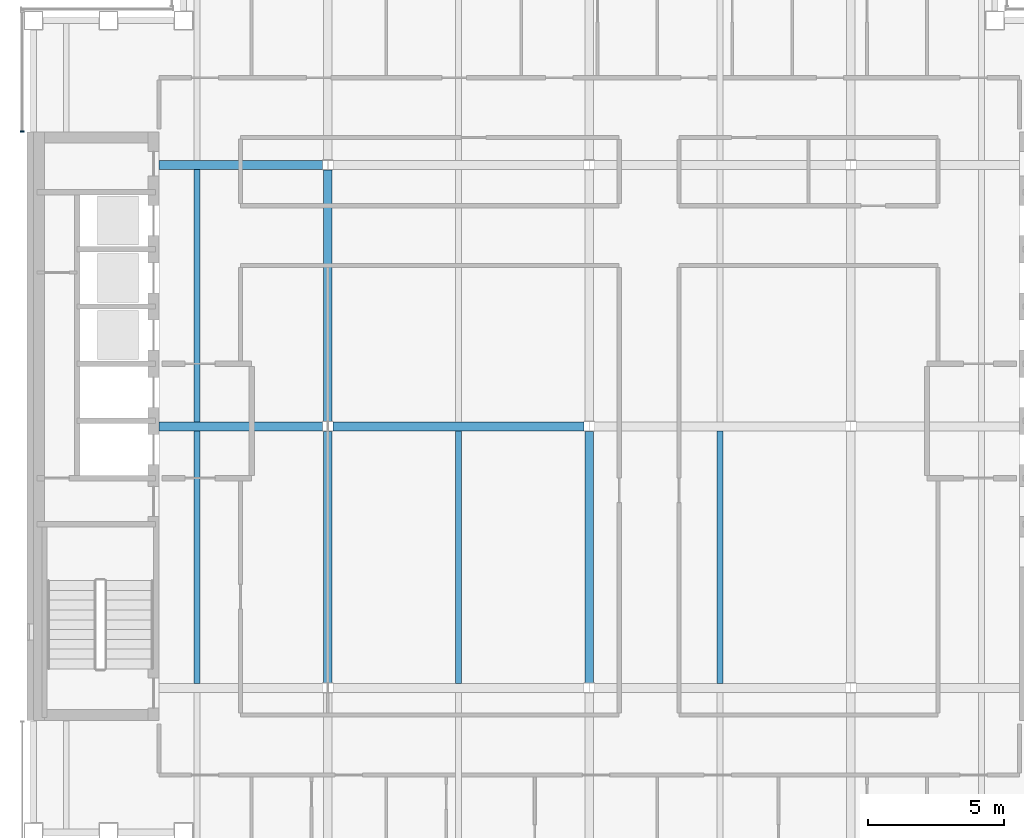
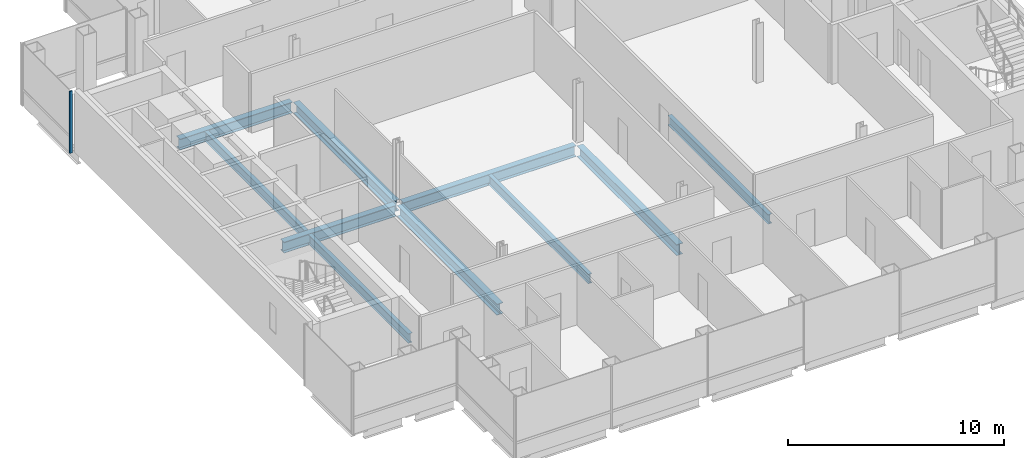
# One storey, part 4 of 15: 10 beams, 1 member, 1 element without a shape of its own.
"""IFC4 building model written with IfcOpenShell, lengths in metres."""

from ifc_helpers import new_model, si_unit, direction, frame, origin, origin_2d, place, context, subcontext, project, spatial, rectangle, i_section, extrude, material, material_profile, profile_set, type_object, element, aggregate, save


model = new_model("IFC4")

# Units and contexts
model_context = context("Model", 3, precision=1e-05, world=origin(), true_north=direction((0.0, 1.0)))
body_context = subcontext(model_context, "Body", "Model", "MODEL_VIEW")
ifc_project = project(units=[si_unit("LENGTHUNIT", "METRE"), si_unit("AREAUNIT", "SQUARE_METRE"), si_unit("VOLUMEUNIT", "CUBIC_METRE"), si_unit("PLANEANGLEUNIT", "RADIAN"), si_unit("MASSUNIT", "GRAM", prefix="KILO")], contexts=[model_context])

# Site, building, storey
site_placement = place(None, origin())
site = spatial("IfcSite", under=ifc_project, at=site_placement, CompositionType="ELEMENT")
building_placement = place(site_placement, origin())
building = spatial("IfcBuilding", under=site, at=building_placement, Name="Cobrizo Arcos Hotel Tower", CompositionType="ELEMENT")
storey_placement = place(building_placement, frame((0.0, 0.0, 215.5)))
storey = spatial("IfcBuildingStorey", under=building, at=storey_placement, Name="L56", CompositionType="ELEMENT", Elevation=215.5)

# Curtain wall, member
ifc_material_1 = material(Name="Aluminium 6063-T6 anodised bronze", Category="aluminium")
curtain_wall_type = type_object("IfcCurtainWallType", Name="CW-A guest facade", PredefinedType="NOTDEFINED", material=ifc_material_1)
curtain_wall_placement = place(storey_placement, origin())
curtain_wall = element("IfcCurtainWall", 1, at=curtain_wall_placement, inside=storey, type_object=curtain_wall_type, Name="CW-A L56 W face", PredefinedType="NOTDEFINED")
ifc_material_profile_1 = material_profile(ifc_material_1, rectangle(XDim=0.14990234375, YDim=0.06005859375, at=origin_2d()), Name="CW-A mullion 150x60")
ifc_profile_set_1 = profile_set([ifc_material_profile_1], Name="Aluminium 6063-T6 anodised bronze")
member_type = type_object("IfcMemberType", Name="CW-A mullion 150x60", PredefinedType="MULLION", material=ifc_profile_set_1)
member_placement = place(storey_placement, frame((-20.824951171875, 10.830078125, 0.0), z_axis=(0.0, 0.0, 1.0), x_axis=(-1.0, 0.0, 0.0)))
member = element("IfcMember", 2, at=member_placement, type_object=member_type, Name="CW-A mullion 2", PredefinedType="MULLION", context=body_context, shape_type="SweptSolid", body=[
    extrude(rectangle(XDim=0.14990234375, YDim=0.06005859375, at=origin_2d()), origin(), (0.0, 0.0, 1.0), 3.5),
])
aggregate(curtain_wall, [member])

# Beams
ifc_material_2 = material(Name="Steel ASTM A992 Grade 50", Category="steel")
ifc_material_profile_2 = material_profile(ifc_material_2, i_section(OverallWidth=0.209228515625, OverallDepth=0.533447265625, WebThickness=0.01025390625, FlangeThickness=0.015625, at=origin_2d()), Name="W21X62")
ifc_profile_set_2 = profile_set([ifc_material_profile_2], Name="Steel ASTM A992 Grade 50")
beam_type_1 = type_object("IfcBeamType", Name="W21X62 joist", PredefinedType="JOIST", material=ifc_profile_set_2)
for number, where, z_axis, x_axis, name in (
    (3, (-14.39990234375, -9.43603515625, -0.416748046875), (0.0, 1.0, 0.0), (-1.0, 0.0, 0.0), "Floor joist J1, L56, no. 004"),
    (4, (-14.39990234375, 0.163818359375, -0.416748046875), (0.0, 1.0, 0.0), (-1.0, 0.0, 0.0), "Floor joist J1, L56, no. 005"),
    (5, (-4.800048828125, -9.43603515625, -0.416748046875), (0.0, 1.0, 0.0), (-1.0, 0.0, 0.0), "Floor joist J1, L56, no. 008"),
    (6, (4.800048828125, -9.43603515625, -0.416748046875), (0.0, 1.0, 0.0), (-1.0, 0.0, 0.0), "Floor joist J1, L56, no. 012"),
):
    element("IfcBeam", number, at=place(storey_placement, frame(where, z_axis=z_axis, x_axis=x_axis)), inside=storey, type_object=beam_type_1, Name=name, PredefinedType="JOIST", context=body_context, shape_type="SweptSolid", body=[
        extrude(i_section(OverallWidth=0.209228515625, OverallDepth=0.533447265625, WebThickness=0.01025390625, FlangeThickness=0.015625, at=origin_2d()), origin(), (0.0, 0.0, 1.0), 9.272216796875),
    ])
ifc_material_profile_3 = material_profile(ifc_material_2, i_section(OverallWidth=0.32763671875, OverallDepth=0.622314453125, WebThickness=0.015380859375, FlangeThickness=0.0244140625, at=origin_2d()), Name="W24X131")
ifc_profile_set_3 = profile_set([ifc_material_profile_3], Name="Steel ASTM A992 Grade 50")
beam_type_2 = type_object("IfcBeamType", Name="W24X131 girder", PredefinedType="BEAM", material=ifc_profile_set_3)
beam_1_placement = place(storey_placement, frame((-15.7900390625, 0.0, -0.461181640625), z_axis=(1.0, 0.0, 0.0), x_axis=(0.0, 1.0, 0.0)))
element("IfcBeam", 7, at=beam_1_placement, inside=storey, type_object=beam_type_2, Name="Floor girder G1, L56, no. 005", PredefinedType="BEAM", context=body_context, shape_type="SweptSolid", body=[
    extrude(i_section(OverallWidth=0.32763671875, OverallDepth=0.622314453125, WebThickness=0.015380859375, FlangeThickness=0.0244140625, at=origin_2d()), origin(), (0.0, 0.0, 1.0), 6.00341796875),
])
beam_2_placement = place(storey_placement, frame((-9.413330078125, 0.0, -0.461181640625), z_axis=(1.0, 0.0, 0.0), x_axis=(0.0, 1.0, 0.0)))
element("IfcBeam", 8, at=beam_2_placement, inside=storey, type_object=beam_type_2, Name="Floor girder G1, L56, no. 006", PredefinedType="BEAM", context=body_context, shape_type="SweptSolid", body=[
    extrude(i_section(OverallWidth=0.32763671875, OverallDepth=0.622314453125, WebThickness=0.015380859375, FlangeThickness=0.0244140625, at=origin_2d()), origin(), (0.0, 0.0, 1.0), 9.2265625),
])
beam_3_placement = place(storey_placement, frame((-15.7900390625, 9.60009765625, -0.461181640625), z_axis=(1.0, 0.0, 0.0), x_axis=(0.0, 1.0, 0.0)))
element("IfcBeam", 9, at=beam_3_placement, inside=storey, type_object=beam_type_2, Name="Floor girder G1, L56, no. 009", PredefinedType="BEAM", context=body_context, shape_type="SweptSolid", body=[
    extrude(i_section(OverallWidth=0.32763671875, OverallDepth=0.622314453125, WebThickness=0.015380859375, FlangeThickness=0.0244140625, at=origin_2d()), origin(), (0.0, 0.0, 1.0), 6.00341796875),
])
for number, where, z_axis, x_axis, name in (
    (10, (-9.60009765625, -9.413330078125, -0.461181640625), (0.0, 1.0, 0.0), (-1.0, 0.0, 0.0), "Floor girder G1, L56, no. 014"),
    (11, (-9.60009765625, 0.186767578125, -0.461181640625), (0.0, 1.0, 0.0), (-1.0, 0.0, 0.0), "Floor girder G1, L56, no. 015"),
    (12, (0.0, -9.413330078125, -0.461181640625), (0.0, 1.0, 0.0), (-1.0, 0.0, 0.0), "Floor girder G1, L56, no. 018"),
):
    element("IfcBeam", number, at=place(storey_placement, frame(where, z_axis=z_axis, x_axis=x_axis)), inside=storey, type_object=beam_type_2, Name=name, PredefinedType="BEAM", context=body_context, shape_type="SweptSolid", body=[
        extrude(i_section(OverallWidth=0.32763671875, OverallDepth=0.622314453125, WebThickness=0.015380859375, FlangeThickness=0.0244140625, at=origin_2d()), origin(), (0.0, 0.0, 1.0), 9.2265625),
    ])

save(model, "model.ifc")
